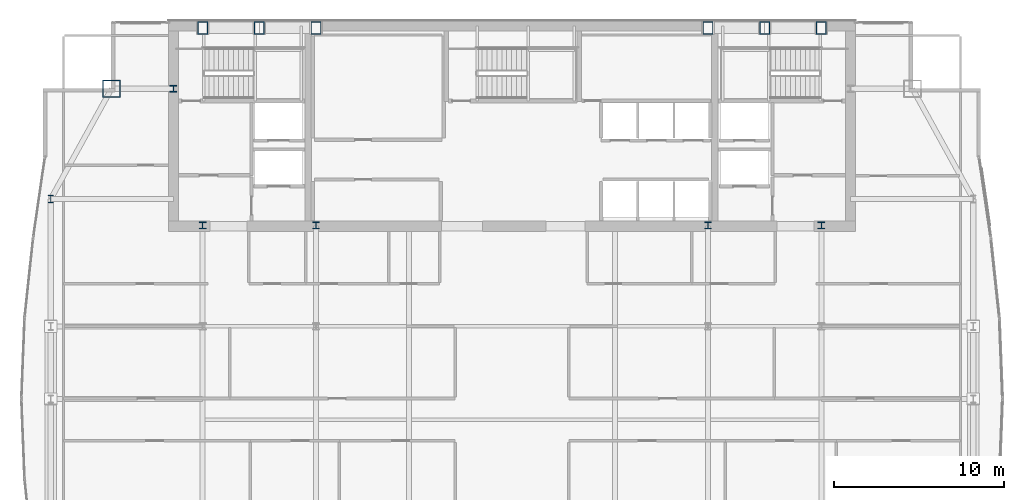
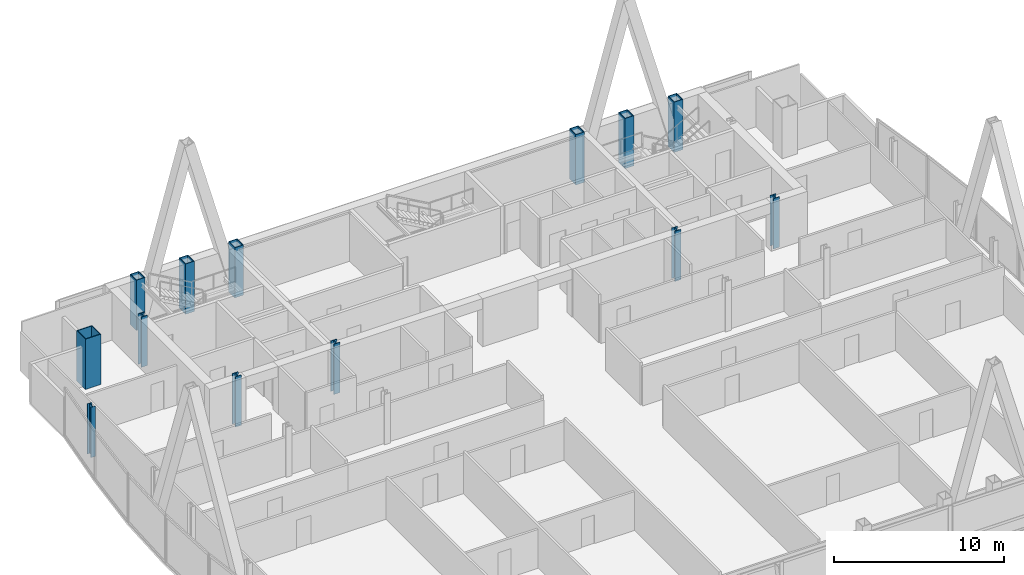
# One storey, part 3 of 31: 13 columns.
"""IFC4 building model written with IfcOpenShell, lengths in metres."""

from ifc_helpers import new_model, si_unit, direction, frame, origin, origin_2d, place, context, subcontext, project, spatial, hollow_rectangle, i_section, extrude, material, material_profile, profile_set, type_object, element, save


model = new_model("IFC4")

# Units and contexts
model_context = context("Model", 3, precision=1e-05, world=origin(), true_north=direction((0.0, 1.0)))
body_context = subcontext(model_context, "Body", "Model", "MODEL_VIEW")
ifc_project = project(units=[si_unit("LENGTHUNIT", "METRE"), si_unit("AREAUNIT", "SQUARE_METRE"), si_unit("VOLUMEUNIT", "CUBIC_METRE"), si_unit("PLANEANGLEUNIT", "RADIAN"), si_unit("MASSUNIT", "GRAM", prefix="KILO")], contexts=[model_context])

# Site, building, storey
site_placement = place(None, origin())
site = spatial("IfcSite", under=ifc_project, at=site_placement, CompositionType="ELEMENT")
building_placement = place(site_placement, origin())
building = spatial("IfcBuilding", under=site, at=building_placement, Name="Khoronbel Lancet Exchange", CompositionType="ELEMENT")
storey_placement = place(building_placement, frame((0.0, 0.0, 249.800048828125)))
storey = spatial("IfcBuildingStorey", under=building, at=storey_placement, Name="L64", CompositionType="ELEMENT", Elevation=249.800048828125)

# Columns
ifc_material_1 = material(Name="Steel S460", Category="steel")
ifc_material_profile_1 = material_profile(ifc_material_1, hollow_rectangle(XDim=0.60009765625, YDim=0.75, WallThickness=0.044921875, at=origin_2d()), Name="BOX 750x600x45")
ifc_profile_set_1 = profile_set([ifc_material_profile_1], Name="Steel S460")
column_type_1 = type_object("IfcColumnType", Name="COL-EC3", PredefinedType="COLUMN", material=ifc_profile_set_1)
for number, where, z_axis, x_axis, name in (
    (1, (18.22509765625, 53.280029296875, 0.0), (0.0, 0.0, 1.0), (1.0, 0.0, 0.0), "Structural column NC-W1 L64"),
    (2, (21.5625, 53.280029296875, 0.0), (0.0, 0.0, 1.0), (1.0, 0.0, 0.0), "Structural column NC-WM L64"),
    (3, (24.89990234375, 53.280029296875, 0.0), (0.0, 0.0, 1.0), (1.0, 0.0, 0.0), "Structural column NC-W2 L64"),
    (4, (48.0, 53.280029296875, 0.0), (0.0, 0.0, 1.0), (1.0, 0.0, 0.0), "Structural column NC-E1 L64"),
    (5, (51.33740234375, 53.280029296875, 0.0), (0.0, 0.0, 1.0), (1.0, 0.0, 0.0), "Structural column NC-EM L64"),
    (6, (54.675048828125, 53.280029296875, 0.0), (0.0, 0.0, 1.0), (1.0, 0.0, 0.0), "Structural column NC-E2 L64"),
):
    element("IfcColumn", number, at=place(storey_placement, frame(where, z_axis=z_axis, x_axis=x_axis)), inside=storey, type_object=column_type_1, Name=name, PredefinedType="COLUMN", context=body_context, shape_type="SweptSolid", body=[
        extrude(hollow_rectangle(XDim=0.60009765625, YDim=0.75, WallThickness=0.044921875, at=origin_2d()), origin(), (0.0, 0.0, 1.0), 3.599853515625),
    ])
ifc_material_2 = material(Name="Steel S355", Category="steel")
ifc_material_profile_2 = material_profile(ifc_material_2, i_section(OverallWidth=0.406005859375, OverallDepth=0.416015625, WebThickness=0.02978515625, FlangeThickness=0.048095703125, at=origin_2d()), Name="HD 400x382")
ifc_profile_set_2 = profile_set([ifc_material_profile_2], Name="Steel S355")
column_type_2 = type_object("IfcColumnType", Name="COL-IC3", PredefinedType="COLUMN", material=ifc_profile_set_2)
for number, where, z_axis, x_axis, name in (
    (7, (16.5, 49.699951171875, 0.0), (0.0, 0.0, 1.0), (1.0, 0.0, 0.0), "Core-flank plumb transfer column CFW L64"),
    (8, (18.22509765625, 41.64990234375, 0.0), (0.0, 0.0, 1.0), (1.0, 0.0, 0.0), "Core-embedded steel column CTC1 L64"),
    (9, (24.89990234375, 41.64990234375, 0.0), (0.0, 0.0, 1.0), (1.0, 0.0, 0.0), "Core-embedded steel column CTC2 L64"),
    (10, (48.0, 41.64990234375, 0.0), (0.0, 0.0, 1.0), (1.0, 0.0, 0.0), "Core-embedded steel column CTC3 L64"),
    (11, (54.675048828125, 41.64990234375, 0.0), (0.0, 0.0, 1.0), (1.0, 0.0, 0.0), "Core-embedded steel column CTC4 L64"),
):
    element("IfcColumn", number, at=place(storey_placement, frame(where, z_axis=z_axis, x_axis=x_axis)), inside=storey, type_object=column_type_2, Name=name, PredefinedType="COLUMN", context=body_context, shape_type="SweptSolid", body=[
        extrude(i_section(OverallWidth=0.406005859375, OverallDepth=0.416015625, WebThickness=0.02978515625, FlangeThickness=0.048095703125, at=origin_2d()), origin(), (0.0, 0.0, 1.0), 3.599853515625),
    ])
ifc_material_profile_3 = material_profile(ifc_material_2, i_section(OverallWidth=0.300048828125, OverallDepth=0.449951171875, WebThickness=0.013916015625, FlangeThickness=0.02587890625, at=origin_2d()), Name="HEB 450")
ifc_profile_set_3 = profile_set([ifc_material_profile_3], Name="Steel S355")
column_type_3 = type_object("IfcColumnType", Name="COL-LC2", PredefinedType="COLUMN", material=ifc_profile_set_3)
column_1_placement = place(storey_placement, frame((9.27001953125, 43.199951171875, 0.0), z_axis=(0.0, 0.0, 1.0), x_axis=(1.0, 0.0, 0.0)))
element("IfcColumn", 12, at=column_1_placement, inside=storey, type_object=column_type_3, Name="Structural column WC-4 L64", PredefinedType="COLUMN", context=body_context, shape_type="SweptSolid", body=[
    extrude(i_section(OverallWidth=0.300048828125, OverallDepth=0.449951171875, WebThickness=0.013916015625, FlangeThickness=0.02587890625, at=origin_2d()), origin(), (0.0, 0.0, 1.0), 3.599853515625),
])
ifc_material_profile_4 = material_profile(ifc_material_1, hollow_rectangle(XDim=1.050048828125, YDim=1.050048828125, WallThickness=0.054931640625, at=origin_2d()), Name="BOX 1050x1050x55")
ifc_profile_set_4 = profile_set([ifc_material_profile_4], Name="Steel S460")
column_type_4 = type_object("IfcColumnType", Name="COL-MC6", PredefinedType="COLUMN", material=ifc_profile_set_4)
column_2_placement = place(storey_placement, frame((12.85009765625, 49.699951171875, 0.0), z_axis=(0.0, 0.0, 1.0), x_axis=(1.0, 0.0, 0.0)))
element("IfcColumn", 13, at=column_2_placement, inside=storey, type_object=column_type_4, Name="Structural column MC-NW L64", PredefinedType="COLUMN", context=body_context, shape_type="SweptSolid", body=[
    extrude(hollow_rectangle(XDim=1.050048828125, YDim=1.050048828125, WallThickness=0.054931640625, at=origin_2d()), origin(), (0.0, 0.0, 1.0), 3.599853515625),
])

save(model, "model.ifc")
